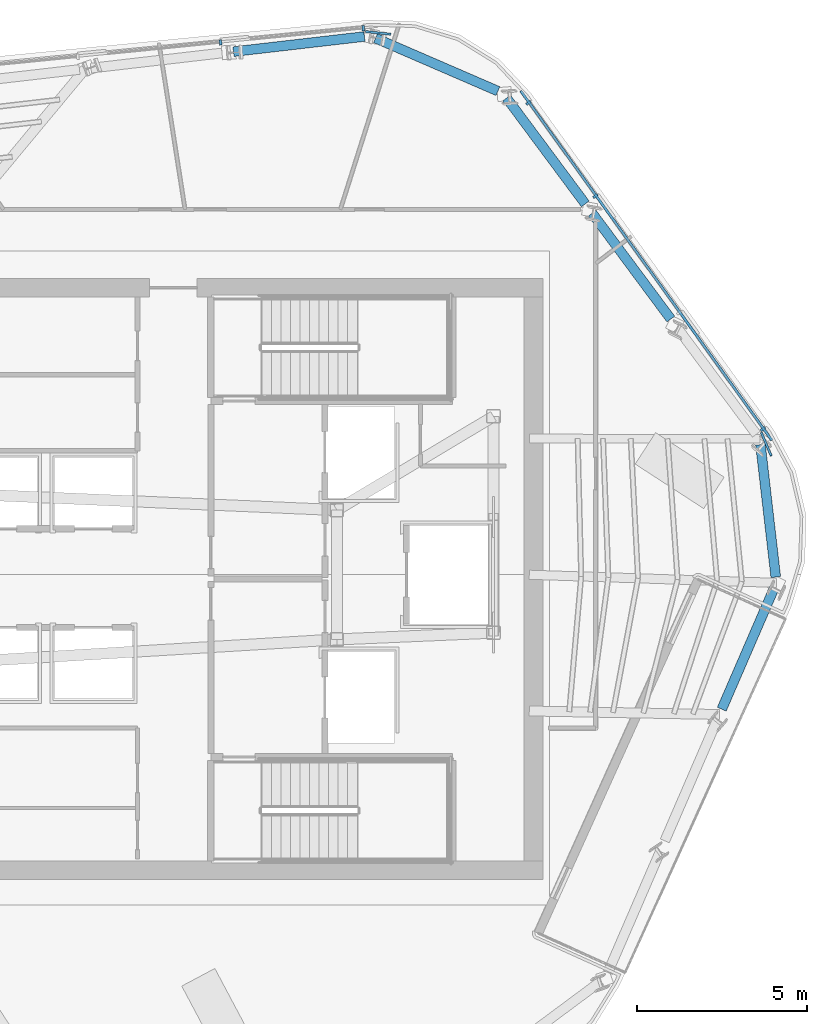
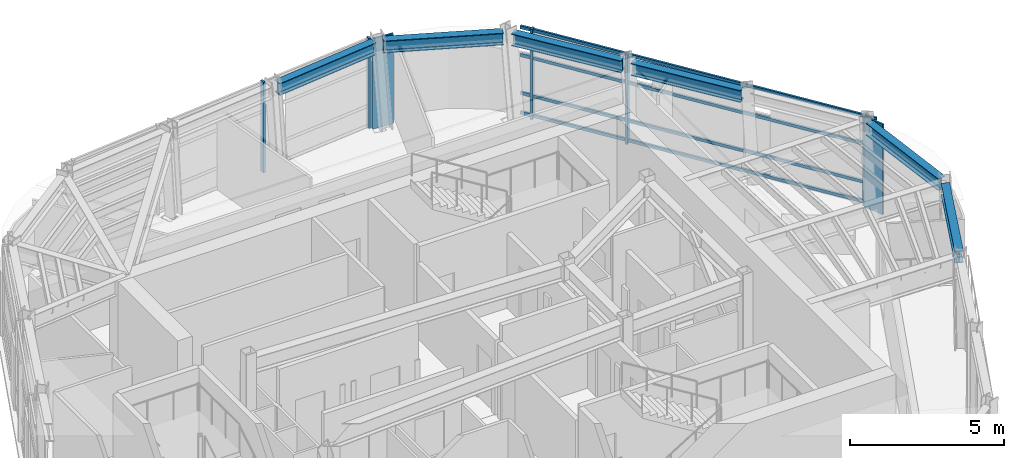
# One storey, part 4 of 12: 11 members, 6 beams, 2 elements without a shape of their own.
"""IFC4 building model written with IfcOpenShell, lengths in metres."""

from ifc_helpers import new_model, si_unit, direction, frame, origin, origin_2d, place, context, subcontext, project, spatial, rectangle, i_section, extrude, material, layer, layer_set, material_profile, profile_set, type_object, element, aggregate, save


model = new_model("IFC4")

# Units and contexts
model_context = context("Model", 3, precision=1e-05, world=origin(), true_north=direction((0.0, 1.0)))
body_context = subcontext(model_context, "Body", "Model", "MODEL_VIEW")
ifc_project = project(units=[si_unit("LENGTHUNIT", "METRE"), si_unit("AREAUNIT", "SQUARE_METRE"), si_unit("VOLUMEUNIT", "CUBIC_METRE"), si_unit("PLANEANGLEUNIT", "RADIAN"), si_unit("MASSUNIT", "GRAM", prefix="KILO")], contexts=[model_context])

# Site, building, storey
site_placement = place(None, origin())
site = spatial("IfcSite", under=ifc_project, at=site_placement, CompositionType="ELEMENT")
building_placement = place(site_placement, origin())
building = spatial("IfcBuilding", under=site, at=building_placement, Name="Valkerne Bourse Tower", CompositionType="ELEMENT")
storey_placement = place(building_placement, frame((0.0, 0.0, 307.800048828125)))
storey = spatial("IfcBuildingStorey", under=building, at=storey_placement, Name="L78", CompositionType="ELEMENT", Elevation=307.800048828125)

# Beams
ifc_material_1 = material(Name="Steel ASTM A992", Category="steel")
ifc_material_profile_1 = material_profile(ifc_material_1, i_section(OverallWidth=0.284423828125, OverallDepth=0.47509765625, WebThickness=0.014892578125, FlangeThickness=0.02392578125, FilletRadius=0.017822265625, at=origin_2d()), Name="W18X106")
ifc_profile_set_1 = profile_set([ifc_material_profile_1], Name="Steel ASTM A992")
beam_type = type_object("IfcBeamType", Name="BM-W18X106", PredefinedType="BEAM", material=ifc_profile_set_1)
for number, where, z_axis, x_axis, name in (
    (1, (51.160400390625, 42.8046875, 3.342529296875), (-0.993372158688, -0.114942395766, 0.0), (0.114942395766, -0.993372158688, 0.0), "L78 Hexagonal Spandrel Ring Beam 00"),
    (2, (61.652587890625, 23.052490234375, 3.342529296875), (0.397150881701, 0.917753331328, 0.0), (-0.917753331328, 0.397150881701, 0.0), "L78 Hexagonal Spandrel Ring Beam 18"),
):
    element("IfcBeam", number, at=place(storey_placement, frame(where, z_axis=z_axis, x_axis=x_axis)), inside=storey, type_object=beam_type, Name=name, PredefinedType="BEAM", context=body_context, shape_type="SweptSolid", body=[
        extrude(i_section(OverallWidth=0.284423828125, OverallDepth=0.47509765625, WebThickness=0.014892578125, FlangeThickness=0.02392578125, FilletRadius=0.017822265625, at=origin_2d()), origin(), (0.0, 0.0, 1.0), 3.8720703125),
    ])
beam_1_placement = place(storey_placement, frame((63.23828125, 26.93115234375, 3.342529296875), z_axis=(-0.114912829074, 0.993375579383, 0.0), x_axis=(-0.993375579383, -0.114912829074, 0.0)))
element("IfcBeam", 3, at=beam_1_placement, inside=storey, type_object=beam_type, Name="L78 Hexagonal Spandrel Ring Beam 19", PredefinedType="BEAM", context=body_context, shape_type="SweptSolid", body=[
    extrude(i_section(OverallWidth=0.284423828125, OverallDepth=0.47509765625, WebThickness=0.014892578125, FlangeThickness=0.02392578125, FilletRadius=0.017822265625, at=origin_2d()), origin(), (0.0, 0.0, 1.0), 3.91552734375),
])
beam_2_placement = place(storey_placement, frame((60.156005859375, 34.507568359375, 3.342529296875), z_axis=(-0.596169590819, 0.802858529868, 0.0), x_axis=(-0.802858529868, -0.596169590819, 0.0)))
element("IfcBeam", 4, at=beam_2_placement, inside=storey, type_object=beam_type, Name="L78 Hexagonal Spandrel Ring Beam 21", PredefinedType="BEAM", context=body_context, shape_type="SweptSolid", body=[
    extrude(i_section(OverallWidth=0.284423828125, OverallDepth=0.47509765625, WebThickness=0.014892578125, FlangeThickness=0.02392578125, FilletRadius=0.017822265625, at=origin_2d()), origin(), (0.0, 0.0, 1.0), 3.8720703125),
])
beam_3_placement = place(storey_placement, frame((57.644775390625, 37.88916015625, 3.342529296875), z_axis=(-0.596240412331, 0.802805935892, 0.0), x_axis=(-0.802805935892, -0.596240412331, 0.0)))
element("IfcBeam", 5, at=beam_3_placement, inside=storey, type_object=beam_type, Name="L78 Hexagonal Spandrel Ring Beam 22", PredefinedType="BEAM", context=body_context, shape_type="SweptSolid", body=[
    extrude(i_section(OverallWidth=0.284423828125, OverallDepth=0.47509765625, WebThickness=0.014892578125, FlangeThickness=0.02392578125, FilletRadius=0.017822265625, at=origin_2d()), origin(), (0.0, 0.0, 1.0), 3.871826171875),
])
beam_4_placement = place(storey_placement, frame((55.078857421875, 41.20166015625, 3.342529296875), z_axis=(-0.917775368297, 0.397099953851, 0.0), x_axis=(-0.397099953851, -0.917775368297, 0.0)))
element("IfcBeam", 6, at=beam_4_placement, inside=storey, type_object=beam_type, Name="L78 Hexagonal Spandrel Ring Beam 23", PredefinedType="BEAM", context=body_context, shape_type="SweptSolid", body=[
    extrude(i_section(OverallWidth=0.284423828125, OverallDepth=0.47509765625, WebThickness=0.014892578125, FlangeThickness=0.02392578125, FilletRadius=0.017822265625, at=origin_2d()), origin(), (0.0, 0.0, 1.0), 3.915771484375),
])

# Curtain wall, members
ifc_material_2 = material(Name="Aluminium AA 6063-T6", Category="aluminium")
ifc_layer = layer(ifc_material_2, 0.2451171875)
ifc_layer_set = layer_set([ifc_layer], Name="Aluminium AA 6063-T6")
curtain_wall_type = type_object("IfcCurtainWallType", Name="CW-05", PredefinedType="NOTDEFINED", material=ifc_layer_set)
curtain_wall_1_placement = place(storey_placement, origin())
curtain_wall_1 = element("IfcCurtainWall", 7, at=curtain_wall_1_placement, inside=storey, type_object=curtain_wall_type, Name="L78 Hexagonal Stick Curtain Wall Face 1", PredefinedType="NOTDEFINED")
ifc_material_profile_2 = material_profile(ifc_material_2, rectangle(XDim=0.074951171875, YDim=0.159912109375, at=origin_2d()), Name="CWM-75X160")
ifc_profile_set_2 = profile_set([ifc_material_profile_2], Name="Aluminium AA 6063-T6")
member_type_1 = type_object("IfcMemberType", Name="CW-MUL-160X75", PredefinedType="MULLION", material=ifc_profile_set_2)
member_1_placement = place(storey_placement, frame((51.12548828125, 43.047607421875, 0.0), z_axis=(0.0, 0.0, 1.0), x_axis=(-0.995056212706, -0.099313310059, 0.0)))
member_1 = element("IfcMember", 8, at=member_1_placement, type_object=member_type_1, Name="CW-L78-F1 Jamb Mullion 00A", PredefinedType="MULLION", context=body_context, shape_type="SweptSolid", body=[
    extrude(rectangle(XDim=0.074951171875, YDim=0.159912109375, at=origin_2d()), origin(), (0.0, 0.0, 1.0), 3.579833984375),
])
member_2_placement = place(storey_placement, frame((46.934326171875, 42.62939453125, 0.0), z_axis=(0.0, 0.0, 1.0), x_axis=(-0.995054100457, -0.099334471179, 0.0)))
member_2 = element("IfcMember", 9, at=member_2_placement, type_object=member_type_1, Name="CW-L78-F1 Jamb Mullion 01A", PredefinedType="MULLION", context=body_context, shape_type="SweptSolid", body=[
    extrude(rectangle(XDim=0.074951171875, YDim=0.159912109375, at=origin_2d()), origin(), (0.0, 0.0, 1.0), 3.579833984375),
])
aggregate(curtain_wall_1, [member_1, member_2])

curtain_wall_2_placement = place(storey_placement, origin())
curtain_wall_2 = element("IfcCurtainWall", 10, at=curtain_wall_2_placement, inside=storey, type_object=curtain_wall_type, Name="L78 Hexagonal Stick Curtain Wall Face 6", PredefinedType="NOTDEFINED")
member_3_placement = place(storey_placement, frame((62.860595703125, 31.27783203125, 0.0), z_axis=(0.0, 0.0, 1.0), x_axis=(-0.583555814605, 0.812073033194, 0.0)))
member_3 = element("IfcMember", 11, at=member_3_placement, type_object=member_type_1, Name="CW-L78-F6 Jamb Mullion 00A", PredefinedType="MULLION", context=body_context, shape_type="SweptSolid", body=[
    extrude(rectangle(XDim=0.074951171875, YDim=0.159912109375, at=origin_2d()), origin(), (0.0, 0.0, 1.0), 3.579833984375),
])
member_4_placement = place(storey_placement, frame((57.944580078125, 38.118896484375, 0.0), z_axis=(0.0, 0.0, 1.0), x_axis=(-0.583544563646, 0.812081118016, 0.0)))
member_4 = element("IfcMember", 12, at=member_4_placement, type_object=member_type_1, Name="CW-L78-F6 Jamb Mullion 02A", PredefinedType="MULLION", context=body_context, shape_type="SweptSolid", body=[
    extrude(rectangle(XDim=0.074951171875, YDim=0.159912109375, at=origin_2d()), origin(), (0.0, 0.0, 1.0), 3.579833984375),
])
member_5_placement = place(storey_placement, frame((55.97705078125, 40.857177734375, 0.0), z_axis=(0.0, 0.0, 1.0), x_axis=(-0.583544563646, 0.812081118016, 0.0)))
member_5 = element("IfcMember", 13, at=member_5_placement, type_object=member_type_1, Name="CW-L78-F6 Jamb Mullion 02B", PredefinedType="MULLION", context=body_context, shape_type="SweptSolid", body=[
    extrude(rectangle(XDim=0.074951171875, YDim=0.159912109375, at=origin_2d()), origin(), (0.0, 0.0, 1.0), 3.579833984375),
])
ifc_material_profile_3 = material_profile(ifc_material_2, rectangle(XDim=0.074951171875, YDim=0.1201171875, at=origin_2d()), Name="CWT-75X120")
ifc_profile_set_3 = profile_set([ifc_material_profile_3], Name="Aluminium AA 6063-T6")
member_type_2 = type_object("IfcMemberType", Name="CW-TRN-120X75", PredefinedType="USERDEFINED", material=ifc_profile_set_3)
member_6_placement = place(storey_placement, frame((63.121826171875, 30.948486328125, 0.119873046875), z_axis=(-0.583549654349, 0.812077459919, 0.0), x_axis=(-0.812077459919, -0.583549654349, 0.0)))
member_6 = element("IfcMember", 14, at=member_6_placement, type_object=member_type_2, Name="CW-L78-F6 Continuous Face Transom 1", ObjectType="TRANSOM", PredefinedType="USERDEFINED", context=body_context, shape_type="SweptSolid", body=[
    extrude(rectangle(XDim=0.074951171875, YDim=0.1201171875, at=origin_2d()), origin(), (0.0, 0.0, 1.0), 12.635986328125),
])
member_7_placement = place(storey_placement, frame((63.121826171875, 30.948486328125, 0.89990234375), z_axis=(-0.583549654349, 0.812077459919, 0.0), x_axis=(-0.812077459919, -0.583549654349, 0.0)))
member_7 = element("IfcMember", 15, at=member_7_placement, type_object=member_type_2, Name="CW-L78-F6 Continuous Face Transom 2", ObjectType="TRANSOM", PredefinedType="USERDEFINED", context=body_context, shape_type="SweptSolid", body=[
    extrude(rectangle(XDim=0.074951171875, YDim=0.1201171875, at=origin_2d()), origin(), (0.0, 0.0, 1.0), 12.635986328125),
])
member_8_placement = place(storey_placement, frame((63.121826171875, 30.948486328125, 2.39990234375), z_axis=(-0.583549654349, 0.812077459919, 0.0), x_axis=(-0.812077459919, -0.583549654349, 0.0)))
member_8 = element("IfcMember", 16, at=member_8_placement, type_object=member_type_2, Name="CW-L78-F6 Continuous Face Transom 3", ObjectType="TRANSOM", PredefinedType="USERDEFINED", context=body_context, shape_type="SweptSolid", body=[
    extrude(rectangle(XDim=0.074951171875, YDim=0.1201171875, at=origin_2d()), origin(), (0.0, 0.0, 1.0), 12.635986328125),
])
member_9_placement = place(storey_placement, frame((63.121826171875, 30.948486328125, 3.5), z_axis=(-0.583549654349, 0.812077459919, 0.0), x_axis=(-0.812077459919, -0.583549654349, 0.0)))
member_9 = element("IfcMember", 17, at=member_9_placement, type_object=member_type_2, Name="CW-L78-F6 Continuous Face Transom 4", ObjectType="TRANSOM", PredefinedType="USERDEFINED", context=body_context, shape_type="SweptSolid", body=[
    extrude(rectangle(XDim=0.074951171875, YDim=0.1201171875, at=origin_2d()), origin(), (0.0, 0.0, 1.0), 12.635986328125),
])
aggregate(curtain_wall_2, [member_6, member_7, member_8, member_9, member_3, member_4, member_5])

# Members
ifc_material_3 = material(Name="Bronze Anodised Aluminium AA 6063-T6", Category="aluminium")
ifc_material_profile_4 = material_profile(ifc_material_3, rectangle(XDim=0.06494140625, YDim=0.75, at=origin_2d()), Name="FIN-65X750")
ifc_profile_set_4 = profile_set([ifc_material_profile_4], Name="Bronze Anodised Aluminium AA 6063-T6")
member_type_3 = type_object("IfcMemberType", Name="FIN-SOLAR-650", PredefinedType="USERDEFINED", material=ifc_profile_set_4)
for number, where, z_axis, x_axis, name in (
    (18, (51.561279296875, 42.910400390625, 0.00390625), (0.0, 0.0, 1.0), (0.105944235005, 0.994372072752, 0.0), "L78 Bronze Anodised Solar Fin F1-00"),
    (19, (62.95947265625, 30.831787109375, 0.00390625), (0.0, 0.0, 1.0), (0.918720414576, 0.394908596818, 0.0), "L78 Bronze Anodised Solar Fin F6-00"),
):
    element("IfcMember", number, at=place(storey_placement, frame(where, z_axis=z_axis, x_axis=x_axis)), inside=storey, type_object=member_type_3, Name=name, ObjectType="SOLAR_FIN", PredefinedType="USERDEFINED", context=body_context, shape_type="SweptSolid", body=[
        extrude(rectangle(XDim=0.06494140625, YDim=0.75, at=origin_2d()), origin(), (0.0, 0.0, 1.0), 3.572021484375),
    ])

save(model, "model.ifc")
